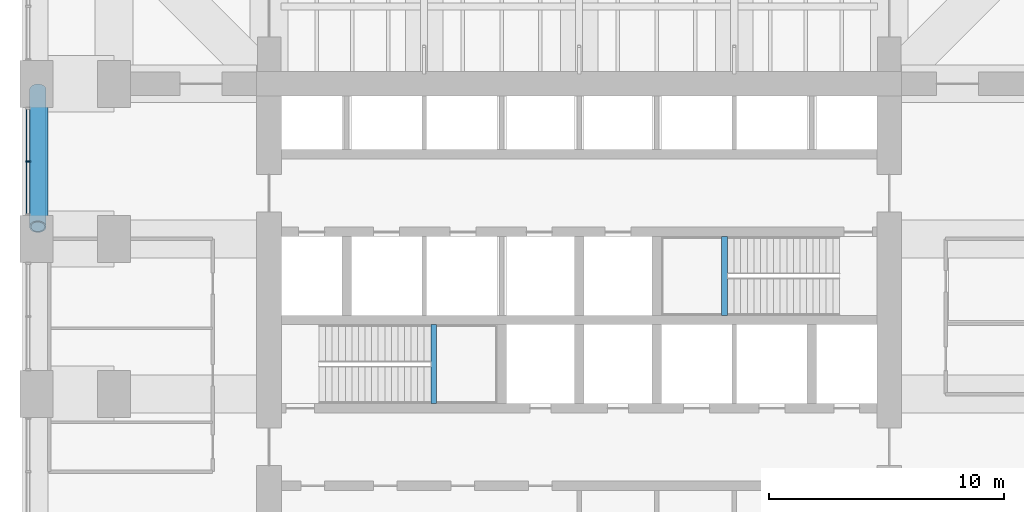
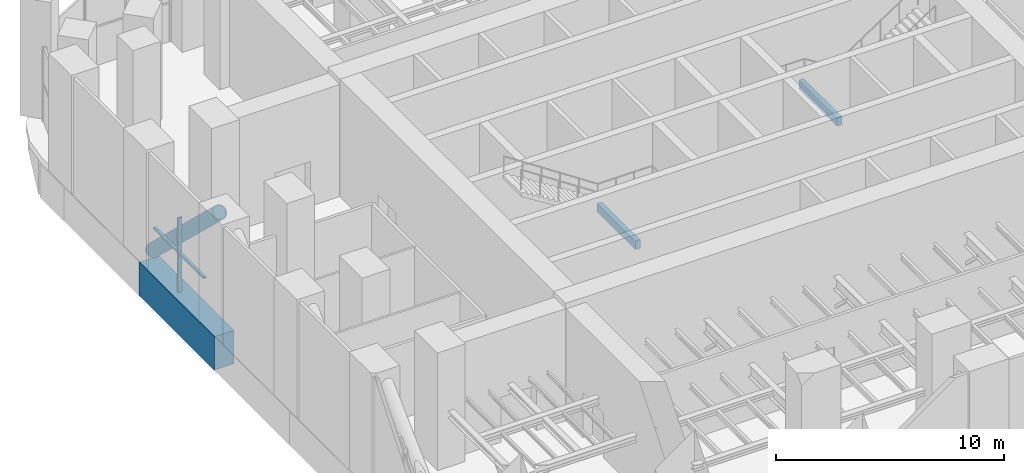
# One storey, part 4 of 16: 4 members, 3 beams, 1 element without a shape of its own.
"""IFC4 building model written with IfcOpenShell, lengths in metres."""

from ifc_helpers import new_model, si_unit, direction, frame, origin, origin_2d, place, context, subcontext, project, spatial, rectangle, hollow_circle, extrude, material, material_profile, profile_set, type_object, element, aggregate, save


model = new_model("IFC4")

# Units and contexts
model_context = context("Model", 3, precision=1e-05, world=origin(), true_north=direction((0.0, 1.0)))
body_context = subcontext(model_context, "Body", "Model", "MODEL_VIEW")
ifc_project = project(units=[si_unit("LENGTHUNIT", "METRE"), si_unit("AREAUNIT", "SQUARE_METRE"), si_unit("VOLUMEUNIT", "CUBIC_METRE"), si_unit("PLANEANGLEUNIT", "RADIAN"), si_unit("MASSUNIT", "GRAM", prefix="KILO")], contexts=[model_context])

# Site, building, storey
site_placement = place(None, origin())
site = spatial("IfcSite", under=ifc_project, at=site_placement, CompositionType="ELEMENT")
building_placement = place(site_placement, origin())
building = spatial("IfcBuilding", under=site, at=building_placement, Name="Cobogo Forest Laboratory Tower", CompositionType="ELEMENT")
storey_placement = place(building_placement, frame((0.0, 0.0, 149.39990234375)))
storey = spatial("IfcBuildingStorey", under=building, at=storey_placement, Name="L34", CompositionType="ELEMENT", Elevation=149.39990234375)

# Member
ifc_material_1 = material(Name="Steel S460NH", Category="steel")
ifc_material_profile_1 = material_profile(ifc_material_1, hollow_circle(Radius=0.35546875, WallThickness=0.06005859375, at=origin_2d()), Name="CHS 711x60")
ifc_profile_set_1 = profile_set([ifc_material_profile_1], Name="Steel S460NH")
member_type_1 = type_object("IfcMemberType", Name="Belt truss diagonal CHS 711x60", PredefinedType="BRACE", material=ifc_profile_set_1)
member_1_placement = place(storey_placement, frame((3.360107421875, 32.75, 0.23876953125), z_axis=(0.0, -0.723363796511, 0.690467101242), x_axis=(1.0, 0.0, 0.0)))
element("IfcMember", 1, at=member_1_placement, inside=storey, type_object=member_type_1, Name="BT1 belt truss diagonal W19 L34", PredefinedType="BRACE", context=body_context, shape_type="SweptSolid", body=[
    extrude(hollow_circle(Radius=0.35546875, WallThickness=0.06005859375, at=origin_2d()), origin(), (0.0, 0.0, 1.0), 8.0595703125),
])

# Beams
ifc_material_2 = material(Name="Concrete HA-40 (C40/50)", Category="concrete")
ifc_material_profile_2 = material_profile(ifc_material_2, rectangle(XDim=0.25, YDim=0.449951171875, at=origin_2d()), Name="RC 250x450")
ifc_profile_set_2 = profile_set([ifc_material_profile_2], Name="Concrete HA-40 (C40/50)")
beam_type_1 = type_object("IfcBeamType", Name="LB1 landing beam 250x450", PredefinedType="BEAM", material=ifc_profile_set_2)
for number, where, z_axis, x_axis, name in (
    (2, (20.2099609375, 19.39990234375, 2.72509765625), (0.0, 1.0, 0.0), (-1.0, 0.0, 0.0), "Landing beam ST1 L34"),
    (3, (32.590087890625, 23.14990234375, 2.72509765625), (0.0, 1.0, 0.0), (-1.0, 0.0, 0.0), "Landing beam ST2 L34"),
):
    element("IfcBeam", number, at=place(storey_placement, frame(where, z_axis=z_axis, x_axis=x_axis)), inside=storey, type_object=beam_type_1, Name=name, PredefinedType="BEAM", context=body_context, shape_type="SweptSolid", body=[
        extrude(rectangle(XDim=0.25, YDim=0.449951171875, at=origin_2d()), origin(), (0.0, 0.0, 1.0), 3.35009765625),
    ])

# Curtain wall, member
ifc_material_3 = material(Name="Aluminium curtain wall", Category="aluminium")
curtain_wall_type = type_object("IfcCurtainWallType", Name="CW-P louvred curtain wall, plant floors", PredefinedType="USERDEFINED", material=ifc_material_3)
curtain_wall_placement = place(storey_placement, origin())
curtain_wall = element("IfcCurtainWall", 4, at=curtain_wall_placement, inside=storey, type_object=curtain_wall_type, Name="Curtain wall 28 L34", ObjectType="LOUVRED CURTAIN WALL", PredefinedType="USERDEFINED")
ifc_material_4 = material(Name="Aluminium mullion", Category="aluminium")
ifc_material_profile_3 = material_profile(ifc_material_4, rectangle(XDim=0.080078125, YDim=0.199951171875, at=origin_2d()), Name="AL 80x200")
ifc_profile_set_3 = profile_set([ifc_material_profile_3], Name="Aluminium mullion")
member_type_2 = type_object("IfcMemberType", Name="MU-3 aluminium louvre mullion 80x200", PredefinedType="MULLION", material=ifc_profile_set_3)
member_2_placement = place(storey_placement, frame((2.949951171875, 29.699951171875, 0.0), z_axis=(0.0, 0.0, 1.0), x_axis=(0.0, -1.0, 0.0)))
member_2 = element("IfcMember", 5, at=member_2_placement, type_object=member_type_2, Name="CW-P mullion 2", PredefinedType="MULLION", context=body_context, shape_type="SweptSolid", body=[
    extrude(rectangle(XDim=0.080078125, YDim=0.199951171875, at=origin_2d()), origin(), (0.0, 0.0, 1.0), 4.0),
])

# Beam
ifc_material_profile_4 = material_profile(ifc_material_2, rectangle(XDim=1.0, YDim=1.800048828125, at=origin_2d()), Name="RC 1000x1800")
ifc_profile_set_4 = profile_set([ifc_material_profile_4], Name="Concrete HA-40 (C40/50)")
beam_type_2 = type_object("IfcBeamType", Name="Plant floor perimeter girder 1000x1800", PredefinedType="BEAM", material=ifc_profile_set_4)
beam_placement = place(storey_placement, frame((3.300048828125, 26.39990234375, -1.25), z_axis=(0.0, 1.0, 0.0), x_axis=(-1.0, 0.0, 0.0)))
element("IfcBeam", 6, at=beam_placement, inside=storey, type_object=beam_type_2, Name="TG1 E-W4 L34", PredefinedType="BEAM", context=body_context, shape_type="SweptSolid", body=[
    extrude(rectangle(XDim=1.0, YDim=1.800048828125, at=origin_2d()), origin(), (0.0, 0.0, 1.0), 6.60009765625),
])

# Member
ifc_material_5 = material(Name="Aluminium transom", Category="aluminium")
ifc_material_profile_5 = material_profile(ifc_material_5, rectangle(XDim=0.14990234375, YDim=0.080078125, at=origin_2d()), Name="AL 80x150")
ifc_profile_set_5 = profile_set([ifc_material_profile_5], Name="Aluminium transom")
member_type_3 = type_object("IfcMemberType", Name="TR-2 aluminium louvre transom 80x150", PredefinedType="USERDEFINED", material=ifc_profile_set_5)
member_3_placement = place(storey_placement, frame((2.949951171875, 31.919921875, 2.10009765625), z_axis=(0.0, -1.0, 0.0), x_axis=(1.0, 0.0, 0.0)))
member_3 = element("IfcMember", 7, at=member_3_placement, type_object=member_type_3, Name="CW-P transom 1.1", ObjectType="TRANSOM", PredefinedType="USERDEFINED", context=body_context, shape_type="SweptSolid", body=[
    extrude(rectangle(XDim=0.14990234375, YDim=0.080078125, at=origin_2d()), origin(), (0.0, 0.0, 1.0), 2.179931640625),
])

member_4_placement = place(storey_placement, frame((2.949951171875, 29.659912109375, 2.10009765625), z_axis=(0.0, -1.0, 0.0), x_axis=(1.0, 0.0, 0.0)))
member_4 = element("IfcMember", 8, at=member_4_placement, type_object=member_type_3, Name="CW-P transom 2.1", ObjectType="TRANSOM", PredefinedType="USERDEFINED", context=body_context, shape_type="SweptSolid", body=[
    extrude(rectangle(XDim=0.14990234375, YDim=0.080078125, at=origin_2d()), origin(), (0.0, 0.0, 1.0), 2.179931640625),
])

aggregate(curtain_wall, [member_2, member_3, member_4])

save(model, "model.ifc")
